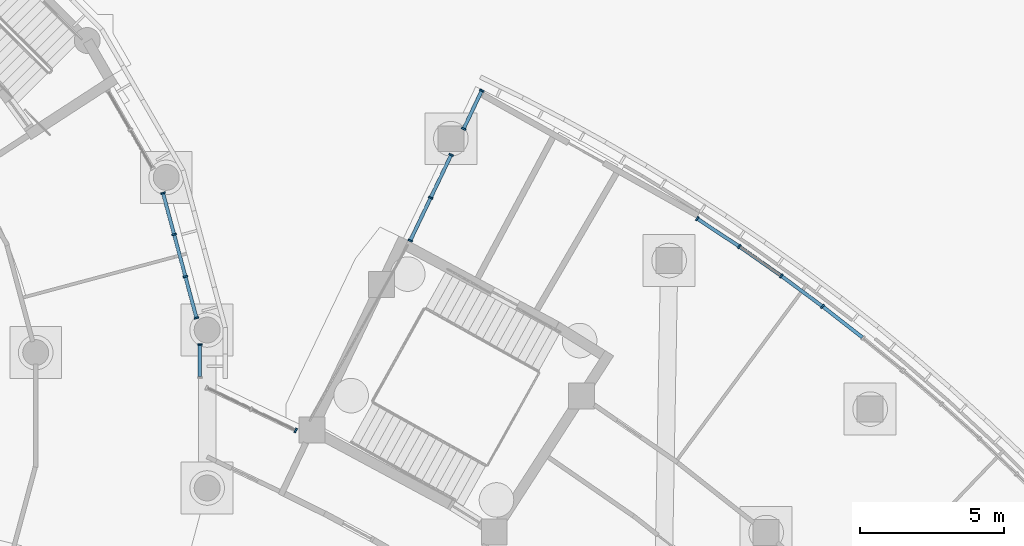
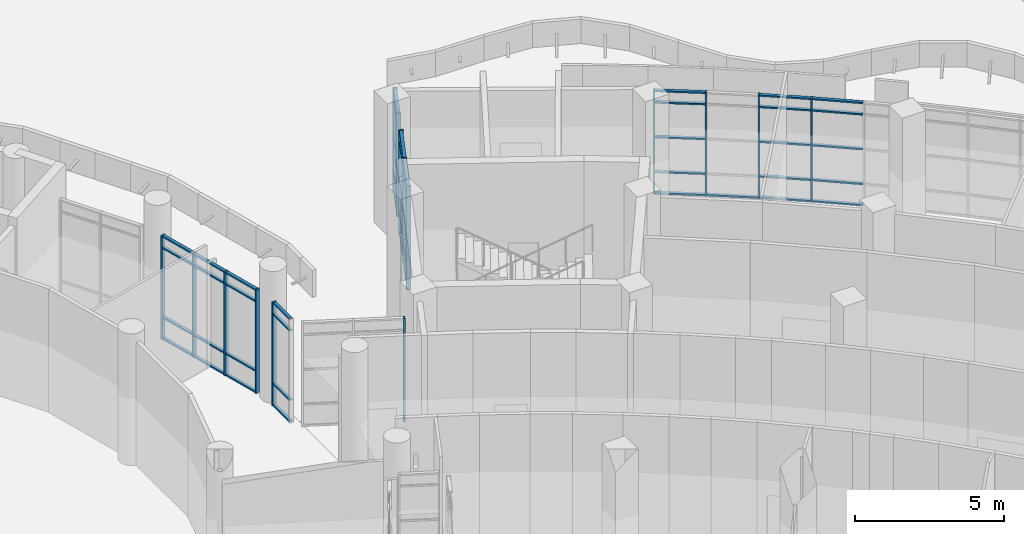
# One storey, part 36 of 146: 62 members, 6 elements without a shape of their own.
"""IFC4 building model written with IfcOpenShell, lengths in metres."""

from ifc_helpers import new_model, si_unit, direction, frame, origin, origin_2d, place, context, subcontext, project, spatial, rectangle, extrude, material, material_profile, profile_set, type_object, element, aggregate, save


model = new_model("IFC4")

# Units and contexts
model_context = context("Model", 3, precision=1e-05, world=origin(), true_north=direction((0.0, 1.0)))
body_context = subcontext(model_context, "Body", "Model", "MODEL_VIEW")
ifc_project = project(units=[si_unit("LENGTHUNIT", "METRE"), si_unit("AREAUNIT", "SQUARE_METRE"), si_unit("VOLUMEUNIT", "CUBIC_METRE"), si_unit("PLANEANGLEUNIT", "RADIAN"), si_unit("MASSUNIT", "GRAM", prefix="KILO")], contexts=[model_context])

# Site, building, storey
site_placement = place(None, origin())
site = spatial("IfcSite", under=ifc_project, at=site_placement, CompositionType="ELEMENT")
building_placement = place(site_placement, origin())
building = spatial("IfcBuilding", under=site, at=building_placement, Name="Bougainvillea Quay General Hospital", CompositionType="ELEMENT")
storey_placement = place(building_placement, origin())
storey = spatial("IfcBuildingStorey", under=building, at=storey_placement, Name="L00", CompositionType="ELEMENT", Elevation=0.0)

# Curtain wall, members
ifc_material_1 = material(Name="Aluminium curtain wall system, powder-coated glazed", Category="aluminium")
curtain_wall_type_1 = type_object("IfcCurtainWallType", Name="Unitised curtain wall CW-2100", PredefinedType="NOTDEFINED", material=ifc_material_1)
curtain_wall_1_placement = place(storey_placement, origin())
curtain_wall_1 = element("IfcCurtainWall", 1, at=curtain_wall_1_placement, inside=storey, type_object=curtain_wall_type_1, Name="CW-E02 a23b1", PredefinedType="NOTDEFINED")
ifc_material_2 = material(Name="Aluminium mullion, powder-coated charcoal", Category="aluminium")
ifc_material_profile_1 = material_profile(ifc_material_2, rectangle(XDim=0.159912109375, YDim=0.06005859375, at=origin_2d()))
ifc_profile_set_1 = profile_set([ifc_material_profile_1], Name="Aluminium mullion, powder-coated charcoal")
member_type_1 = type_object("IfcMemberType", Name="Curtain wall mullion 160x60", PredefinedType="MULLION", material=ifc_profile_set_1)
member_1_placement = place(storey_placement, frame((147.021728515625, 80.60546875, 0.0), z_axis=(0.0, 0.0, 1.0), x_axis=(0.552565563465, 0.833469434396, 0.0)))
member_1 = element("IfcMember", 2, at=member_1_placement, type_object=member_type_1, Name="CW-E02 mullion 1", PredefinedType="MULLION", context=body_context, shape_type="SweptSolid", body=[
    extrude(rectangle(XDim=0.159912109375, YDim=0.06005859375, at=origin_2d()), origin(), (0.0, 0.0, 1.0), 4.25),
])
member_2_placement = place(storey_placement, frame((148.48046875, 79.63818359375, 0.0), z_axis=(0.0, 0.0, 1.0), x_axis=(0.56315688844, 0.826349997884, 0.0)))
member_2 = element("IfcMember", 3, at=member_2_placement, type_object=member_type_1, Name="CW-E02 mullion 2", PredefinedType="MULLION", context=body_context, shape_type="SweptSolid", body=[
    extrude(rectangle(XDim=0.159912109375, YDim=0.06005859375, at=origin_2d()), origin(), (0.0, 0.0, 1.0), 4.25),
])
member_3_placement = place(storey_placement, frame((149.938720703125, 78.616943359375, 0.0), z_axis=(0.0, 0.0, 1.0), x_axis=(0.584062676911, 0.811708561886, 0.0)))
member_3 = element("IfcMember", 4, at=member_3_placement, type_object=member_type_1, Name="CW-E02 mullion 3", PredefinedType="MULLION", context=body_context, shape_type="SweptSolid", body=[
    extrude(rectangle(XDim=0.159912109375, YDim=0.06005859375, at=origin_2d()), origin(), (0.0, 0.0, 1.0), 4.25),
])
member_4_placement = place(storey_placement, frame((151.370361328125, 77.558837890625, 0.0), z_axis=(0.0, 0.0, 1.0), x_axis=(0.604587993148, 0.796538359743, 0.0)))
member_4 = element("IfcMember", 5, at=member_4_placement, type_object=member_type_1, Name="CW-E02 mullion 4", PredefinedType="MULLION", context=body_context, shape_type="SweptSolid", body=[
    extrude(rectangle(XDim=0.159912109375, YDim=0.06005859375, at=origin_2d()), origin(), (0.0, 0.0, 1.0), 4.25),
])

curtain_wall_type_2 = type_object("IfcCurtainWallType", Name="Unitised curtain wall CW-1530", PredefinedType="NOTDEFINED", material=ifc_material_1)
curtain_wall_2_placement = place(storey_placement, origin())
curtain_wall_2 = element("IfcCurtainWall", 6, at=curtain_wall_2_placement, inside=storey, type_object=curtain_wall_type_2, Name="CW-AE 00", PredefinedType="NOTDEFINED")
member_5_placement = place(storey_placement, frame((139.548828125, 85.04638671875, 0.0), z_axis=(0.0, 0.0, 1.0), x_axis=(0.902576055431, -0.430530445105, 0.0)))
member_5 = element("IfcMember", 7, at=member_5_placement, type_object=member_type_1, Name="CW-AE mullion 1", PredefinedType="MULLION", context=body_context, shape_type="SweptSolid", body=[
    extrude(rectangle(XDim=0.159912109375, YDim=0.06005859375, at=origin_2d()), origin(), (0.0, 0.0, 1.0), 4.25),
])
member_6_placement = place(storey_placement, frame((138.916015625, 83.7197265625, 0.0), z_axis=(0.0, 0.0, 1.0), x_axis=(0.902576055431, -0.430530445105, 0.0)))
member_6 = element("IfcMember", 8, at=member_6_placement, type_object=member_type_1, Name="CW-AE mullion 2", PredefinedType="MULLION", context=body_context, shape_type="SweptSolid", body=[
    extrude(rectangle(XDim=0.159912109375, YDim=0.06005859375, at=origin_2d()), origin(), (0.0, 0.0, 1.0), 4.25),
])

curtain_wall_type_3 = type_object("IfcCurtainWallType", Name="Unitised curtain wall CW-1678", PredefinedType="NOTDEFINED", material=ifc_material_1)
curtain_wall_3_placement = place(storey_placement, origin())
curtain_wall_3 = element("IfcCurtainWall", 9, at=curtain_wall_3_placement, inside=storey, type_object=curtain_wall_type_3, Name="CW-AE 01", PredefinedType="NOTDEFINED")
member_7_placement = place(storey_placement, frame((138.4853515625, 82.817138671875, 0.0), z_axis=(0.0, 0.0, 1.0), x_axis=(0.902576055431, -0.430530445105, 0.0)))
member_7 = element("IfcMember", 10, at=member_7_placement, type_object=member_type_1, Name="CW-AE mullion 1", PredefinedType="MULLION", context=body_context, shape_type="SweptSolid", body=[
    extrude(rectangle(XDim=0.159912109375, YDim=0.06005859375, at=origin_2d()), origin(), (0.0, 0.0, 1.0), 4.25),
])
member_8_placement = place(storey_placement, frame((137.77587890625, 81.329833984375, 0.0), z_axis=(0.0, 0.0, 1.0), x_axis=(0.902576055431, -0.430530445105, 0.0)))
member_8 = element("IfcMember", 11, at=member_8_placement, type_object=member_type_1, Name="CW-AE mullion 2", PredefinedType="MULLION", context=body_context, shape_type="SweptSolid", body=[
    extrude(rectangle(XDim=0.159912109375, YDim=0.06005859375, at=origin_2d()), origin(), (0.0, 0.0, 1.0), 4.25),
])
member_9_placement = place(storey_placement, frame((137.066650390625, 79.842529296875, 0.0), z_axis=(0.0, 0.0, 1.0), x_axis=(0.902576055431, -0.430530445105, 0.0)))
member_9 = element("IfcMember", 12, at=member_9_placement, type_object=member_type_1, Name="CW-AE mullion 3", PredefinedType="MULLION", context=body_context, shape_type="SweptSolid", body=[
    extrude(rectangle(XDim=0.159912109375, YDim=0.06005859375, at=origin_2d()), origin(), (0.0, 0.0, 1.0), 4.25),
])

# Curtain wall, member
curtain_wall_type_4 = type_object("IfcCurtainWallType", Name="Unitised curtain wall CW-1745", PredefinedType="NOTDEFINED", material=ifc_material_1)
curtain_wall_4_placement = place(storey_placement, origin())
curtain_wall_4 = element("IfcCurtainWall", 13, at=curtain_wall_4_placement, inside=storey, type_object=curtain_wall_type_4, Name="CW-AE 00", PredefinedType="NOTDEFINED")
member_10_placement = place(storey_placement, frame((133.093994140625, 73.256591796875, 0.0), z_axis=(0.0, 0.0, 1.0), x_axis=(-0.430463026068, -0.902608211345, 0.0)))
member_10 = element("IfcMember", 14, at=member_10_placement, type_object=member_type_1, Name="CW-AE mullion 1", PredefinedType="MULLION", context=body_context, shape_type="SweptSolid", body=[
    extrude(rectangle(XDim=0.159912109375, YDim=0.06005859375, at=origin_2d()), origin(), (0.0, 0.0, 1.0), 4.25),
])
aggregate(curtain_wall_4, [member_10])

curtain_wall_type_5 = type_object("IfcCurtainWallType", Name="Unitised curtain wall CW-1211", PredefinedType="NOTDEFINED", material=ifc_material_1)
curtain_wall_5_placement = place(storey_placement, origin())
curtain_wall_5 = element("IfcCurtainWall", 15, at=curtain_wall_5_placement, inside=storey, type_object=curtain_wall_type_5, Name="CW-D 00", PredefinedType="NOTDEFINED")
member_11_placement = place(storey_placement, frame((129.77001953125, 76.240966796875, 0.0), z_axis=(0.0, 0.0, 1.0), x_axis=(-1.0, 0.0, 0.0)))
member_11 = element("IfcMember", 16, at=member_11_placement, type_object=member_type_1, Name="CW-D mullion 2", PredefinedType="MULLION", context=body_context, shape_type="SweptSolid", body=[
    extrude(rectangle(XDim=0.159912109375, YDim=0.06005859375, at=origin_2d()), origin(), (0.0, 0.0, 1.0), 4.25),
])

# Curtain wall, members
curtain_wall_type_6 = type_object("IfcCurtainWallType", Name="Unitised curtain wall CW-1514", PredefinedType="NOTDEFINED", material=ifc_material_1)
curtain_wall_6_placement = place(storey_placement, origin())
curtain_wall_6 = element("IfcCurtainWall", 17, at=curtain_wall_6_placement, inside=storey, type_object=curtain_wall_type_6, Name="CW-D 00", PredefinedType="NOTDEFINED")
member_12_placement = place(storey_placement, frame((129.649169921875, 77.1591796875, 0.0), z_axis=(0.0, 0.0, 1.0), x_axis=(-0.965916292974, -0.258854621298, 0.0)))
member_12 = element("IfcMember", 18, at=member_12_placement, type_object=member_type_1, Name="CW-D mullion 1", PredefinedType="MULLION", context=body_context, shape_type="SweptSolid", body=[
    extrude(rectangle(XDim=0.159912109375, YDim=0.06005859375, at=origin_2d()), origin(), (0.0, 0.0, 1.0), 4.25),
])
member_13_placement = place(storey_placement, frame((129.264892578125, 78.592529296875, 0.0), z_axis=(0.0, 0.0, 1.0), x_axis=(-0.965916292974, -0.258854621298, 0.0)))
member_13 = element("IfcMember", 19, at=member_13_placement, type_object=member_type_1, Name="CW-D mullion 2", PredefinedType="MULLION", context=body_context, shape_type="SweptSolid", body=[
    extrude(rectangle(XDim=0.159912109375, YDim=0.06005859375, at=origin_2d()), origin(), (0.0, 0.0, 1.0), 4.25),
])
member_14_placement = place(storey_placement, frame((128.873046875, 80.054931640625, 0.0), z_axis=(0.0, 0.0, 1.0), x_axis=(-0.965916292974, -0.258854621298, 0.0)))
member_14 = element("IfcMember", 20, at=member_14_placement, type_object=member_type_1, Name="CW-D mullion 3", PredefinedType="MULLION", context=body_context, shape_type="SweptSolid", body=[
    extrude(rectangle(XDim=0.159912109375, YDim=0.06005859375, at=origin_2d()), origin(), (0.0, 0.0, 1.0), 4.25),
])
member_15_placement = place(storey_placement, frame((128.489013671875, 81.48828125, 0.0), z_axis=(0.0, 0.0, 1.0), x_axis=(-0.965916292974, -0.258854621298, 0.0)))
member_15 = element("IfcMember", 21, at=member_15_placement, type_object=member_type_1, Name="CW-D mullion 4", PredefinedType="MULLION", context=body_context, shape_type="SweptSolid", body=[
    extrude(rectangle(XDim=0.159912109375, YDim=0.06005859375, at=origin_2d()), origin(), (0.0, 0.0, 1.0), 4.25),
])

# Member
ifc_material_3 = material(Name="Aluminium transom, powder-coated charcoal", Category="aluminium")
ifc_material_profile_2 = material_profile(ifc_material_3, rectangle(XDim=0.1201171875, YDim=0.06005859375, at=origin_2d()))
ifc_profile_set_2 = profile_set([ifc_material_profile_2], Name="Aluminium transom, powder-coated charcoal")
member_type_2 = type_object("IfcMemberType", Name="Curtain wall transom 120x60", PredefinedType="USERDEFINED", material=ifc_profile_set_2)
member_16_placement = place(storey_placement, frame((147.046630859375, 80.5888671875, 0.030029296875), z_axis=(0.833469578901, -0.552565345499, 0.0), x_axis=(0.552565345499, 0.833469578901, 0.0)))
member_16 = element("IfcMember", 22, at=member_16_placement, type_object=member_type_2, Name="CW-E02 transom 1.1", ObjectType="TRANSOM", PredefinedType="USERDEFINED", context=body_context, shape_type="SweptSolid", body=[
    extrude(rectangle(XDim=0.1201171875, YDim=0.06005859375, at=origin_2d()), origin(), (0.0, 0.0, 1.0), 1.6904296875),
])

member_17_placement = place(storey_placement, frame((147.046630859375, 80.5888671875, 0.89990234375), z_axis=(0.833469578901, -0.552565345499, 0.0), x_axis=(0.552565345499, 0.833469578901, 0.0)))
member_17 = element("IfcMember", 23, at=member_17_placement, type_object=member_type_2, Name="CW-E02 transom 1.2", ObjectType="TRANSOM", PredefinedType="USERDEFINED", context=body_context, shape_type="SweptSolid", body=[
    extrude(rectangle(XDim=0.1201171875, YDim=0.06005859375, at=origin_2d()), origin(), (0.0, 0.0, 1.0), 1.6904296875),
])

member_18_placement = place(storey_placement, frame((147.046630859375, 80.5888671875, 2.324951171875), z_axis=(0.833469578901, -0.552565345499, 0.0), x_axis=(0.552565345499, 0.833469578901, 0.0)))
member_18 = element("IfcMember", 24, at=member_18_placement, type_object=member_type_2, Name="CW-E02 transom 1.3", ObjectType="TRANSOM", PredefinedType="USERDEFINED", context=body_context, shape_type="SweptSolid", body=[
    extrude(rectangle(XDim=0.1201171875, YDim=0.06005859375, at=origin_2d()), origin(), (0.0, 0.0, 1.0), 1.6904296875),
])

member_19_placement = place(storey_placement, frame((147.046630859375, 80.5888671875, 3.75), z_axis=(0.833469578901, -0.552565345499, 0.0), x_axis=(0.552565345499, 0.833469578901, 0.0)))
member_19 = element("IfcMember", 25, at=member_19_placement, type_object=member_type_2, Name="CW-E02 transom 1.4", ObjectType="TRANSOM", PredefinedType="USERDEFINED", context=body_context, shape_type="SweptSolid", body=[
    extrude(rectangle(XDim=0.1201171875, YDim=0.06005859375, at=origin_2d()), origin(), (0.0, 0.0, 1.0), 1.6904296875),
])

member_20_placement = place(storey_placement, frame((147.046630859375, 80.5888671875, 4.219970703125), z_axis=(0.833469578901, -0.552565345499, 0.0), x_axis=(0.552565345499, 0.833469578901, 0.0)))
member_20 = element("IfcMember", 26, at=member_20_placement, type_object=member_type_2, Name="CW-E02 transom 1.5", ObjectType="TRANSOM", PredefinedType="USERDEFINED", context=body_context, shape_type="SweptSolid", body=[
    extrude(rectangle(XDim=0.1201171875, YDim=0.06005859375, at=origin_2d()), origin(), (0.0, 0.0, 1.0), 1.6904296875),
])

member_21_placement = place(storey_placement, frame((148.505126953125, 79.62109375, 0.030029296875), z_axis=(0.819078530526, -0.573681410568, 0.0), x_axis=(0.573681410568, 0.819078530526, 0.0)))
member_21 = element("IfcMember", 27, at=member_21_placement, type_object=member_type_2, Name="CW-E02 transom 2.1", ObjectType="TRANSOM", PredefinedType="USERDEFINED", context=body_context, shape_type="SweptSolid", body=[
    extrude(rectangle(XDim=0.1201171875, YDim=0.06005859375, at=origin_2d()), origin(), (0.0, 0.0, 1.0), 1.72021484375),
])

member_22_placement = place(storey_placement, frame((149.962890625, 78.59912109375, 0.030029296875), z_axis=(0.804170242173, -0.594399042397, 0.0), x_axis=(0.594399042397, 0.804170242173, 0.0)))
member_22 = element("IfcMember", 28, at=member_22_placement, type_object=member_type_2, Name="CW-E02 transom 3.1", ObjectType="TRANSOM", PredefinedType="USERDEFINED", context=body_context, shape_type="SweptSolid", body=[
    extrude(rectangle(XDim=0.1201171875, YDim=0.06005859375, at=origin_2d()), origin(), (0.0, 0.0, 1.0), 1.72021484375),
])

member_23_placement = place(storey_placement, frame((149.962890625, 78.59912109375, 0.89990234375), z_axis=(0.804170242173, -0.594399042397, 0.0), x_axis=(0.594399042397, 0.804170242173, 0.0)))
member_23 = element("IfcMember", 29, at=member_23_placement, type_object=member_type_2, Name="CW-E02 transom 3.2", ObjectType="TRANSOM", PredefinedType="USERDEFINED", context=body_context, shape_type="SweptSolid", body=[
    extrude(rectangle(XDim=0.1201171875, YDim=0.06005859375, at=origin_2d()), origin(), (0.0, 0.0, 1.0), 1.72021484375),
])

member_24_placement = place(storey_placement, frame((149.962890625, 78.59912109375, 2.324951171875), z_axis=(0.804170242173, -0.594399042397, 0.0), x_axis=(0.594399042397, 0.804170242173, 0.0)))
member_24 = element("IfcMember", 30, at=member_24_placement, type_object=member_type_2, Name="CW-E02 transom 3.3", ObjectType="TRANSOM", PredefinedType="USERDEFINED", context=body_context, shape_type="SweptSolid", body=[
    extrude(rectangle(XDim=0.1201171875, YDim=0.06005859375, at=origin_2d()), origin(), (0.0, 0.0, 1.0), 1.72021484375),
])

member_25_placement = place(storey_placement, frame((149.962890625, 78.59912109375, 3.75), z_axis=(0.804170242173, -0.594399042397, 0.0), x_axis=(0.594399042397, 0.804170242173, 0.0)))
member_25 = element("IfcMember", 31, at=member_25_placement, type_object=member_type_2, Name="CW-E02 transom 3.4", ObjectType="TRANSOM", PredefinedType="USERDEFINED", context=body_context, shape_type="SweptSolid", body=[
    extrude(rectangle(XDim=0.1201171875, YDim=0.06005859375, at=origin_2d()), origin(), (0.0, 0.0, 1.0), 1.72021484375),
])

member_26_placement = place(storey_placement, frame((149.962890625, 78.59912109375, 4.219970703125), z_axis=(0.804170242173, -0.594399042397, 0.0), x_axis=(0.594399042397, 0.804170242173, 0.0)))
member_26 = element("IfcMember", 32, at=member_26_placement, type_object=member_type_2, Name="CW-E02 transom 3.5", ObjectType="TRANSOM", PredefinedType="USERDEFINED", context=body_context, shape_type="SweptSolid", body=[
    extrude(rectangle(XDim=0.1201171875, YDim=0.06005859375, at=origin_2d()), origin(), (0.0, 0.0, 1.0), 1.72021484375),
])

member_27_placement = place(storey_placement, frame((151.39404296875, 77.54052734375, 0.030029296875), z_axis=(0.788740407728, -0.614726418188, 0.0), x_axis=(0.614726418188, 0.788740407728, 0.0)))
member_27 = element("IfcMember", 33, at=member_27_placement, type_object=member_type_2, Name="CW-E02 transom 4.1", ObjectType="TRANSOM", PredefinedType="USERDEFINED", context=body_context, shape_type="SweptSolid", body=[
    extrude(rectangle(XDim=0.1201171875, YDim=0.06005859375, at=origin_2d()), origin(), (0.0, 0.0, 1.0), 1.719970703125),
])

member_28_placement = place(storey_placement, frame((151.39404296875, 77.54052734375, 0.89990234375), z_axis=(0.788740407728, -0.614726418188, 0.0), x_axis=(0.614726418188, 0.788740407728, 0.0)))
member_28 = element("IfcMember", 34, at=member_28_placement, type_object=member_type_2, Name="CW-E02 transom 4.2", ObjectType="TRANSOM", PredefinedType="USERDEFINED", context=body_context, shape_type="SweptSolid", body=[
    extrude(rectangle(XDim=0.1201171875, YDim=0.06005859375, at=origin_2d()), origin(), (0.0, 0.0, 1.0), 1.719970703125),
])

member_29_placement = place(storey_placement, frame((151.39404296875, 77.54052734375, 2.324951171875), z_axis=(0.788740407728, -0.614726418188, 0.0), x_axis=(0.614726418188, 0.788740407728, 0.0)))
member_29 = element("IfcMember", 35, at=member_29_placement, type_object=member_type_2, Name="CW-E02 transom 4.3", ObjectType="TRANSOM", PredefinedType="USERDEFINED", context=body_context, shape_type="SweptSolid", body=[
    extrude(rectangle(XDim=0.1201171875, YDim=0.06005859375, at=origin_2d()), origin(), (0.0, 0.0, 1.0), 1.719970703125),
])

member_30_placement = place(storey_placement, frame((151.39404296875, 77.54052734375, 3.75), z_axis=(0.788740407728, -0.614726418188, 0.0), x_axis=(0.614726418188, 0.788740407728, 0.0)))
member_30 = element("IfcMember", 36, at=member_30_placement, type_object=member_type_2, Name="CW-E02 transom 4.4", ObjectType="TRANSOM", PredefinedType="USERDEFINED", context=body_context, shape_type="SweptSolid", body=[
    extrude(rectangle(XDim=0.1201171875, YDim=0.06005859375, at=origin_2d()), origin(), (0.0, 0.0, 1.0), 1.719970703125),
])

member_31_placement = place(storey_placement, frame((151.39404296875, 77.54052734375, 4.219970703125), z_axis=(0.788740407728, -0.614726418188, 0.0), x_axis=(0.614726418188, 0.788740407728, 0.0)))
member_31 = element("IfcMember", 37, at=member_31_placement, type_object=member_type_2, Name="CW-E02 transom 4.5", ObjectType="TRANSOM", PredefinedType="USERDEFINED", context=body_context, shape_type="SweptSolid", body=[
    extrude(rectangle(XDim=0.1201171875, YDim=0.06005859375, at=origin_2d()), origin(), (0.0, 0.0, 1.0), 1.719970703125),
])

aggregate(curtain_wall_1, [member_1, member_2, member_3, member_4, member_16, member_17, member_18, member_19, member_20, member_21, member_22, member_23, member_24, member_25, member_26, member_27, member_28, member_29, member_30, member_31])

member_32_placement = place(storey_placement, frame((139.535888671875, 85.019287109375, 0.030029296875), z_axis=(-0.430511593909, -0.902585047245, 0.0), x_axis=(0.902585047245, -0.430511593909, 0.0)))
member_32 = element("IfcMember", 38, at=member_32_placement, type_object=member_type_2, Name="CW-AE transom 1.1", ObjectType="TRANSOM", PredefinedType="USERDEFINED", context=body_context, shape_type="SweptSolid", body=[
    extrude(rectangle(XDim=0.1201171875, YDim=0.06005859375, at=origin_2d()), origin(), (0.0, 0.0, 1.0), 1.409912109375),
])

member_33_placement = place(storey_placement, frame((139.535888671875, 85.019287109375, 0.89990234375), z_axis=(-0.430511593909, -0.902585047245, 0.0), x_axis=(0.902585047245, -0.430511593909, 0.0)))
member_33 = element("IfcMember", 39, at=member_33_placement, type_object=member_type_2, Name="CW-AE transom 1.2", ObjectType="TRANSOM", PredefinedType="USERDEFINED", context=body_context, shape_type="SweptSolid", body=[
    extrude(rectangle(XDim=0.1201171875, YDim=0.06005859375, at=origin_2d()), origin(), (0.0, 0.0, 1.0), 1.409912109375),
])

member_34_placement = place(storey_placement, frame((139.535888671875, 85.019287109375, 2.324951171875), z_axis=(-0.430511593909, -0.902585047245, 0.0), x_axis=(0.902585047245, -0.430511593909, 0.0)))
member_34 = element("IfcMember", 40, at=member_34_placement, type_object=member_type_2, Name="CW-AE transom 1.3", ObjectType="TRANSOM", PredefinedType="USERDEFINED", context=body_context, shape_type="SweptSolid", body=[
    extrude(rectangle(XDim=0.1201171875, YDim=0.06005859375, at=origin_2d()), origin(), (0.0, 0.0, 1.0), 1.409912109375),
])

member_35_placement = place(storey_placement, frame((139.535888671875, 85.019287109375, 3.75), z_axis=(-0.430511593909, -0.902585047245, 0.0), x_axis=(0.902585047245, -0.430511593909, 0.0)))
member_35 = element("IfcMember", 41, at=member_35_placement, type_object=member_type_2, Name="CW-AE transom 1.4", ObjectType="TRANSOM", PredefinedType="USERDEFINED", context=body_context, shape_type="SweptSolid", body=[
    extrude(rectangle(XDim=0.1201171875, YDim=0.06005859375, at=origin_2d()), origin(), (0.0, 0.0, 1.0), 1.409912109375),
])

member_36_placement = place(storey_placement, frame((139.535888671875, 85.019287109375, 4.219970703125), z_axis=(-0.430511593909, -0.902585047245, 0.0), x_axis=(0.902585047245, -0.430511593909, 0.0)))
member_36 = element("IfcMember", 42, at=member_36_placement, type_object=member_type_2, Name="CW-AE transom 1.5", ObjectType="TRANSOM", PredefinedType="USERDEFINED", context=body_context, shape_type="SweptSolid", body=[
    extrude(rectangle(XDim=0.1201171875, YDim=0.06005859375, at=origin_2d()), origin(), (0.0, 0.0, 1.0), 1.409912109375),
])

aggregate(curtain_wall_2, [member_5, member_6, member_32, member_33, member_34, member_35, member_36])

member_37_placement = place(storey_placement, frame((138.472412109375, 82.7900390625, 0.030029296875), z_axis=(-0.43053033997, -0.902576105581, 0.0), x_axis=(0.902576105581, -0.43053033997, 0.0)))
member_37 = element("IfcMember", 43, at=member_37_placement, type_object=member_type_2, Name="CW-AE transom 1.1", ObjectType="TRANSOM", PredefinedType="USERDEFINED", context=body_context, shape_type="SweptSolid", body=[
    extrude(rectangle(XDim=0.1201171875, YDim=0.06005859375, at=origin_2d()), origin(), (0.0, 0.0, 1.0), 1.587890625),
])

member_38_placement = place(storey_placement, frame((138.472412109375, 82.7900390625, 0.89990234375), z_axis=(-0.43053033997, -0.902576105581, 0.0), x_axis=(0.902576105581, -0.43053033997, 0.0)))
member_38 = element("IfcMember", 44, at=member_38_placement, type_object=member_type_2, Name="CW-AE transom 1.2", ObjectType="TRANSOM", PredefinedType="USERDEFINED", context=body_context, shape_type="SweptSolid", body=[
    extrude(rectangle(XDim=0.1201171875, YDim=0.06005859375, at=origin_2d()), origin(), (0.0, 0.0, 1.0), 1.587890625),
])

member_39_placement = place(storey_placement, frame((138.472412109375, 82.7900390625, 2.324951171875), z_axis=(-0.43053033997, -0.902576105581, 0.0), x_axis=(0.902576105581, -0.43053033997, 0.0)))
member_39 = element("IfcMember", 45, at=member_39_placement, type_object=member_type_2, Name="CW-AE transom 1.3", ObjectType="TRANSOM", PredefinedType="USERDEFINED", context=body_context, shape_type="SweptSolid", body=[
    extrude(rectangle(XDim=0.1201171875, YDim=0.06005859375, at=origin_2d()), origin(), (0.0, 0.0, 1.0), 1.587890625),
])

member_40_placement = place(storey_placement, frame((138.472412109375, 82.7900390625, 3.75), z_axis=(-0.43053033997, -0.902576105581, 0.0), x_axis=(0.902576105581, -0.43053033997, 0.0)))
member_40 = element("IfcMember", 46, at=member_40_placement, type_object=member_type_2, Name="CW-AE transom 1.4", ObjectType="TRANSOM", PredefinedType="USERDEFINED", context=body_context, shape_type="SweptSolid", body=[
    extrude(rectangle(XDim=0.1201171875, YDim=0.06005859375, at=origin_2d()), origin(), (0.0, 0.0, 1.0), 1.587890625),
])

member_41_placement = place(storey_placement, frame((138.472412109375, 82.7900390625, 4.219970703125), z_axis=(-0.43053033997, -0.902576105581, 0.0), x_axis=(0.902576105581, -0.43053033997, 0.0)))
member_41 = element("IfcMember", 47, at=member_41_placement, type_object=member_type_2, Name="CW-AE transom 1.5", ObjectType="TRANSOM", PredefinedType="USERDEFINED", context=body_context, shape_type="SweptSolid", body=[
    extrude(rectangle(XDim=0.1201171875, YDim=0.06005859375, at=origin_2d()), origin(), (0.0, 0.0, 1.0), 1.587890625),
])

member_42_placement = place(storey_placement, frame((137.762939453125, 81.302734375, 0.030029296875), z_axis=(-0.43053033997, -0.902576105581, 0.0), x_axis=(0.902576105581, -0.43053033997, 0.0)))
member_42 = element("IfcMember", 48, at=member_42_placement, type_object=member_type_2, Name="CW-AE transom 2.1", ObjectType="TRANSOM", PredefinedType="USERDEFINED", context=body_context, shape_type="SweptSolid", body=[
    extrude(rectangle(XDim=0.1201171875, YDim=0.06005859375, at=origin_2d()), origin(), (0.0, 0.0, 1.0), 1.587890625),
])

member_43_placement = place(storey_placement, frame((137.762939453125, 81.302734375, 0.89990234375), z_axis=(-0.43053033997, -0.902576105581, 0.0), x_axis=(0.902576105581, -0.43053033997, 0.0)))
member_43 = element("IfcMember", 49, at=member_43_placement, type_object=member_type_2, Name="CW-AE transom 2.2", ObjectType="TRANSOM", PredefinedType="USERDEFINED", context=body_context, shape_type="SweptSolid", body=[
    extrude(rectangle(XDim=0.1201171875, YDim=0.06005859375, at=origin_2d()), origin(), (0.0, 0.0, 1.0), 1.587890625),
])

member_44_placement = place(storey_placement, frame((137.762939453125, 81.302734375, 2.324951171875), z_axis=(-0.43053033997, -0.902576105581, 0.0), x_axis=(0.902576105581, -0.43053033997, 0.0)))
member_44 = element("IfcMember", 50, at=member_44_placement, type_object=member_type_2, Name="CW-AE transom 2.3", ObjectType="TRANSOM", PredefinedType="USERDEFINED", context=body_context, shape_type="SweptSolid", body=[
    extrude(rectangle(XDim=0.1201171875, YDim=0.06005859375, at=origin_2d()), origin(), (0.0, 0.0, 1.0), 1.587890625),
])

member_45_placement = place(storey_placement, frame((137.762939453125, 81.302734375, 3.75), z_axis=(-0.43053033997, -0.902576105581, 0.0), x_axis=(0.902576105581, -0.43053033997, 0.0)))
member_45 = element("IfcMember", 51, at=member_45_placement, type_object=member_type_2, Name="CW-AE transom 2.4", ObjectType="TRANSOM", PredefinedType="USERDEFINED", context=body_context, shape_type="SweptSolid", body=[
    extrude(rectangle(XDim=0.1201171875, YDim=0.06005859375, at=origin_2d()), origin(), (0.0, 0.0, 1.0), 1.587890625),
])

member_46_placement = place(storey_placement, frame((137.762939453125, 81.302734375, 4.219970703125), z_axis=(-0.43053033997, -0.902576105581, 0.0), x_axis=(0.902576105581, -0.43053033997, 0.0)))
member_46 = element("IfcMember", 52, at=member_46_placement, type_object=member_type_2, Name="CW-AE transom 2.5", ObjectType="TRANSOM", PredefinedType="USERDEFINED", context=body_context, shape_type="SweptSolid", body=[
    extrude(rectangle(XDim=0.1201171875, YDim=0.06005859375, at=origin_2d()), origin(), (0.0, 0.0, 1.0), 1.587890625),
])

aggregate(curtain_wall_3, [member_7, member_8, member_9, member_37, member_38, member_39, member_40, member_41, member_42, member_43, member_44, member_45, member_46])

member_47_placement = place(storey_placement, frame((129.77001953125, 75.1201171875, 0.030029296875), z_axis=(0.0, 1.0, 0.0), x_axis=(-1.0, 0.0, 0.0)))
member_47 = element("IfcMember", 53, at=member_47_placement, type_object=member_type_2, Name="CW-D transom 1.1", ObjectType="TRANSOM", PredefinedType="USERDEFINED", context=body_context, shape_type="SweptSolid", body=[
    extrude(rectangle(XDim=0.1201171875, YDim=0.06005859375, at=origin_2d()), origin(), (0.0, 0.0, 1.0), 1.0908203125),
])

member_48_placement = place(storey_placement, frame((129.77001953125, 75.1201171875, 0.89990234375), z_axis=(0.0, 1.0, 0.0), x_axis=(-1.0, 0.0, 0.0)))
member_48 = element("IfcMember", 54, at=member_48_placement, type_object=member_type_2, Name="CW-D transom 1.2", ObjectType="TRANSOM", PredefinedType="USERDEFINED", context=body_context, shape_type="SweptSolid", body=[
    extrude(rectangle(XDim=0.1201171875, YDim=0.06005859375, at=origin_2d()), origin(), (0.0, 0.0, 1.0), 1.0908203125),
])

member_49_placement = place(storey_placement, frame((129.77001953125, 75.1201171875, 3.75), z_axis=(0.0, 1.0, 0.0), x_axis=(-1.0, 0.0, 0.0)))
member_49 = element("IfcMember", 55, at=member_49_placement, type_object=member_type_2, Name="CW-D transom 1.3", ObjectType="TRANSOM", PredefinedType="USERDEFINED", context=body_context, shape_type="SweptSolid", body=[
    extrude(rectangle(XDim=0.1201171875, YDim=0.06005859375, at=origin_2d()), origin(), (0.0, 0.0, 1.0), 1.0908203125),
])

member_50_placement = place(storey_placement, frame((129.77001953125, 75.1201171875, 4.219970703125), z_axis=(0.0, 1.0, 0.0), x_axis=(-1.0, 0.0, 0.0)))
member_50 = element("IfcMember", 56, at=member_50_placement, type_object=member_type_2, Name="CW-D transom 1.4", ObjectType="TRANSOM", PredefinedType="USERDEFINED", context=body_context, shape_type="SweptSolid", body=[
    extrude(rectangle(XDim=0.1201171875, YDim=0.06005859375, at=origin_2d()), origin(), (0.0, 0.0, 1.0), 1.0908203125),
])

aggregate(curtain_wall_5, [member_11, member_47, member_48, member_49, member_50])

member_51_placement = place(storey_placement, frame((129.641357421875, 77.188232421875, 0.030029296875), z_axis=(-0.258878909043, 0.965909783806, 0.0), x_axis=(-0.965909783806, -0.258878909043, 0.0)))
member_51 = element("IfcMember", 57, at=member_51_placement, type_object=member_type_2, Name="CW-D transom 1.1", ObjectType="TRANSOM", PredefinedType="USERDEFINED", context=body_context, shape_type="SweptSolid", body=[
    extrude(rectangle(XDim=0.1201171875, YDim=0.06005859375, at=origin_2d()), origin(), (0.0, 0.0, 1.0), 1.424072265625),
])

member_52_placement = place(storey_placement, frame((129.641357421875, 77.188232421875, 0.89990234375), z_axis=(-0.258878909043, 0.965909783806, 0.0), x_axis=(-0.965909783806, -0.258878909043, 0.0)))
member_52 = element("IfcMember", 58, at=member_52_placement, type_object=member_type_2, Name="CW-D transom 1.2", ObjectType="TRANSOM", PredefinedType="USERDEFINED", context=body_context, shape_type="SweptSolid", body=[
    extrude(rectangle(XDim=0.1201171875, YDim=0.06005859375, at=origin_2d()), origin(), (0.0, 0.0, 1.0), 1.424072265625),
])

member_53_placement = place(storey_placement, frame((129.641357421875, 77.188232421875, 3.75), z_axis=(-0.258878909043, 0.965909783806, 0.0), x_axis=(-0.965909783806, -0.258878909043, 0.0)))
member_53 = element("IfcMember", 59, at=member_53_placement, type_object=member_type_2, Name="CW-D transom 1.3", ObjectType="TRANSOM", PredefinedType="USERDEFINED", context=body_context, shape_type="SweptSolid", body=[
    extrude(rectangle(XDim=0.1201171875, YDim=0.06005859375, at=origin_2d()), origin(), (0.0, 0.0, 1.0), 1.424072265625),
])

member_54_placement = place(storey_placement, frame((129.641357421875, 77.188232421875, 4.219970703125), z_axis=(-0.258878909043, 0.965909783806, 0.0), x_axis=(-0.965909783806, -0.258878909043, 0.0)))
member_54 = element("IfcMember", 60, at=member_54_placement, type_object=member_type_2, Name="CW-D transom 1.4", ObjectType="TRANSOM", PredefinedType="USERDEFINED", context=body_context, shape_type="SweptSolid", body=[
    extrude(rectangle(XDim=0.1201171875, YDim=0.06005859375, at=origin_2d()), origin(), (0.0, 0.0, 1.0), 1.424072265625),
])

member_55_placement = place(storey_placement, frame((129.257080078125, 78.62158203125, 0.030029296875), z_axis=(-0.258780853081, 0.965936059001, 0.0), x_axis=(-0.965936059001, -0.258780853081, 0.0)))
member_55 = element("IfcMember", 61, at=member_55_placement, type_object=member_type_2, Name="CW-D transom 2.1", ObjectType="TRANSOM", PredefinedType="USERDEFINED", context=body_context, shape_type="SweptSolid", body=[
    extrude(rectangle(XDim=0.1201171875, YDim=0.06005859375, at=origin_2d()), origin(), (0.0, 0.0, 1.0), 1.453857421875),
])

member_56_placement = place(storey_placement, frame((129.257080078125, 78.62158203125, 0.89990234375), z_axis=(-0.258780853081, 0.965936059001, 0.0), x_axis=(-0.965936059001, -0.258780853081, 0.0)))
member_56 = element("IfcMember", 62, at=member_56_placement, type_object=member_type_2, Name="CW-D transom 2.2", ObjectType="TRANSOM", PredefinedType="USERDEFINED", context=body_context, shape_type="SweptSolid", body=[
    extrude(rectangle(XDim=0.1201171875, YDim=0.06005859375, at=origin_2d()), origin(), (0.0, 0.0, 1.0), 1.453857421875),
])

member_57_placement = place(storey_placement, frame((129.257080078125, 78.62158203125, 3.75), z_axis=(-0.258780853081, 0.965936059001, 0.0), x_axis=(-0.965936059001, -0.258780853081, 0.0)))
member_57 = element("IfcMember", 63, at=member_57_placement, type_object=member_type_2, Name="CW-D transom 2.3", ObjectType="TRANSOM", PredefinedType="USERDEFINED", context=body_context, shape_type="SweptSolid", body=[
    extrude(rectangle(XDim=0.1201171875, YDim=0.06005859375, at=origin_2d()), origin(), (0.0, 0.0, 1.0), 1.453857421875),
])

member_58_placement = place(storey_placement, frame((129.257080078125, 78.62158203125, 4.219970703125), z_axis=(-0.258780853081, 0.965936059001, 0.0), x_axis=(-0.965936059001, -0.258780853081, 0.0)))
member_58 = element("IfcMember", 64, at=member_58_placement, type_object=member_type_2, Name="CW-D transom 2.4", ObjectType="TRANSOM", PredefinedType="USERDEFINED", context=body_context, shape_type="SweptSolid", body=[
    extrude(rectangle(XDim=0.1201171875, YDim=0.06005859375, at=origin_2d()), origin(), (0.0, 0.0, 1.0), 1.453857421875),
])

member_59_placement = place(storey_placement, frame((128.865234375, 80.083984375, 0.030029296875), z_axis=(-0.258718945225, 0.965952642411, 0.0), x_axis=(-0.965952642411, -0.258718945225, 0.0)))
member_59 = element("IfcMember", 65, at=member_59_placement, type_object=member_type_2, Name="CW-D transom 3.1", ObjectType="TRANSOM", PredefinedType="USERDEFINED", context=body_context, shape_type="SweptSolid", body=[
    extrude(rectangle(XDim=0.1201171875, YDim=0.06005859375, at=origin_2d()), origin(), (0.0, 0.0, 1.0), 1.424072265625),
])

member_60_placement = place(storey_placement, frame((128.865234375, 80.083984375, 0.89990234375), z_axis=(-0.258718945225, 0.965952642411, 0.0), x_axis=(-0.965952642411, -0.258718945225, 0.0)))
member_60 = element("IfcMember", 66, at=member_60_placement, type_object=member_type_2, Name="CW-D transom 3.2", ObjectType="TRANSOM", PredefinedType="USERDEFINED", context=body_context, shape_type="SweptSolid", body=[
    extrude(rectangle(XDim=0.1201171875, YDim=0.06005859375, at=origin_2d()), origin(), (0.0, 0.0, 1.0), 1.424072265625),
])

member_61_placement = place(storey_placement, frame((128.865234375, 80.083984375, 3.75), z_axis=(-0.258718945225, 0.965952642411, 0.0), x_axis=(-0.965952642411, -0.258718945225, 0.0)))
member_61 = element("IfcMember", 67, at=member_61_placement, type_object=member_type_2, Name="CW-D transom 3.3", ObjectType="TRANSOM", PredefinedType="USERDEFINED", context=body_context, shape_type="SweptSolid", body=[
    extrude(rectangle(XDim=0.1201171875, YDim=0.06005859375, at=origin_2d()), origin(), (0.0, 0.0, 1.0), 1.424072265625),
])

member_62_placement = place(storey_placement, frame((128.865234375, 80.083984375, 4.219970703125), z_axis=(-0.258718945225, 0.965952642411, 0.0), x_axis=(-0.965952642411, -0.258718945225, 0.0)))
member_62 = element("IfcMember", 68, at=member_62_placement, type_object=member_type_2, Name="CW-D transom 3.4", ObjectType="TRANSOM", PredefinedType="USERDEFINED", context=body_context, shape_type="SweptSolid", body=[
    extrude(rectangle(XDim=0.1201171875, YDim=0.06005859375, at=origin_2d()), origin(), (0.0, 0.0, 1.0), 1.424072265625),
])

aggregate(curtain_wall_6, [member_12, member_13, member_14, member_15, member_51, member_52, member_53, member_54, member_55, member_56, member_57, member_58, member_59, member_60, member_61, member_62])

save(model, "model.ifc")
